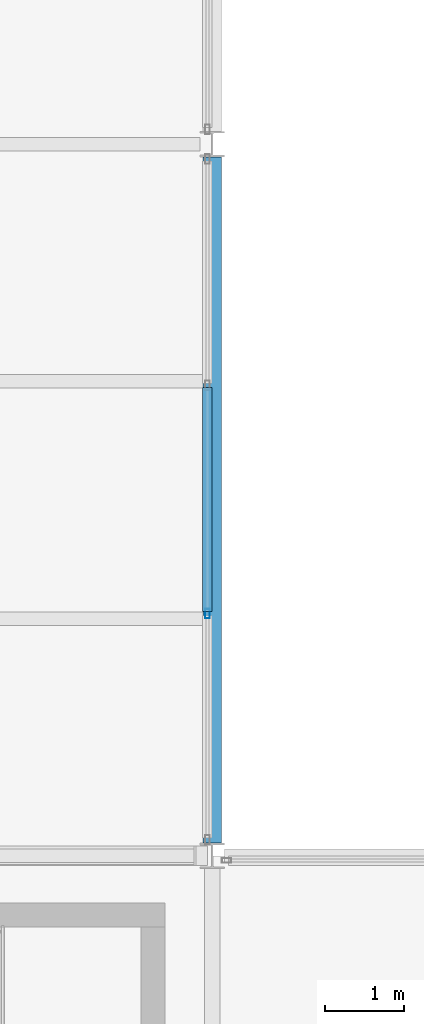
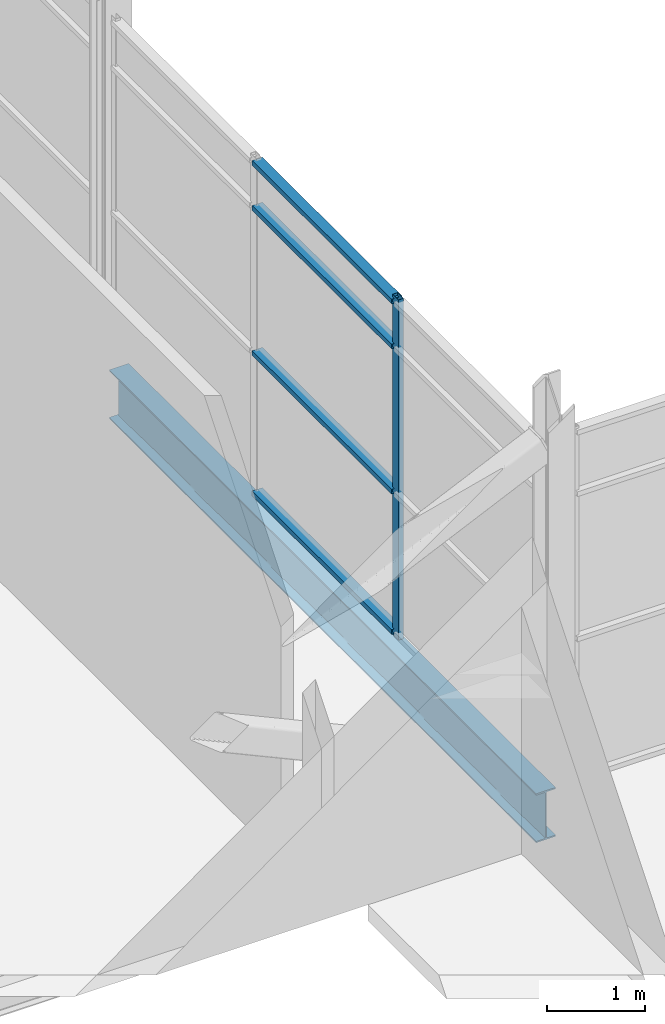
# One storey, part 35 of 112: 5 members, 1 beam, 1 element without a shape of its own.
"""IFC4 building model written with IfcOpenShell, lengths in metres."""

from ifc_helpers import new_model, si_unit, direction, frame, origin, origin_2d, place, context, subcontext, project, spatial, hollow_rectangle, i_section, extrude, material, layer, layer_set, material_profile, profile_set, type_object, element, aggregate, save


model = new_model("IFC4")

# Units and contexts
model_context = context("Model", 3, precision=1e-05, world=origin(), true_north=direction((0.0, 1.0)))
body_context = subcontext(model_context, "Body", "Model", "MODEL_VIEW")
ifc_project = project(units=[si_unit("LENGTHUNIT", "METRE"), si_unit("AREAUNIT", "SQUARE_METRE"), si_unit("VOLUMEUNIT", "CUBIC_METRE"), si_unit("PLANEANGLEUNIT", "RADIAN"), si_unit("MASSUNIT", "GRAM", prefix="KILO")], contexts=[model_context])

# Site, building, storey
site_placement = place(None, origin())
site = spatial("IfcSite", under=ifc_project, at=site_placement, CompositionType="ELEMENT")
building_placement = place(site_placement, origin())
building = spatial("IfcBuilding", under=site, at=building_placement, Name="Shorebreak Coast Museum", CompositionType="ELEMENT")
storey_placement = place(building_placement, frame((0.0, 0.0, 6.0)))
storey = spatial("IfcBuildingStorey", under=building, at=storey_placement, Name="L01", CompositionType="ELEMENT", Elevation=6.0)

# Beam
ifc_material_1 = material(Name="Steel Grade 300", Category="steel")
ifc_material_profile_1 = material_profile(ifc_material_1, i_section(OverallWidth=0.22802734375, OverallDepth=0.60693359375, WebThickness=0.01123046875, FlangeThickness=0.017333984375, FilletRadius=0.013916015625, at=origin_2d()), Name="610UB113")
ifc_profile_set_1 = profile_set([ifc_material_profile_1], Name="Steel Grade 300")
beam_type = type_object("IfcBeamType", Name="Floor girder north-south 610UB113", PredefinedType="BEAM", material=ifc_profile_set_1)
beam_placement = place(storey_placement, frame((63.0, 63.16357421875, -0.478515625), z_axis=(0.0, 1.0, 0.0), x_axis=(-1.0, 0.0, 0.0)))
element("IfcBeam", 1, at=beam_placement, inside=storey, type_object=beam_type, Name="Floor girder north-south L01 8H", PredefinedType="BEAM", context=body_context, shape_type="SweptSolid", body=[
    extrude(i_section(OverallWidth=0.22802734375, OverallDepth=0.60693359375, WebThickness=0.01123046875, FlangeThickness=0.017333984375, FilletRadius=0.013916015625, at=origin_2d()), origin(), (0.0, 0.0, 1.0), 8.6728515625),
])

# Curtain wall, members
ifc_material_2 = material(Name="Aluminium", Category="aluminium")
ifc_layer = layer(ifc_material_2, 0.1201171875)
ifc_layer_set = layer_set([ifc_layer], Name="Aluminium")
curtain_wall_type = type_object("IfcCurtainWallType", Name="Atrium fire screen", PredefinedType="NOTDEFINED", material=ifc_layer_set)
curtain_wall_placement = place(storey_placement, origin())
curtain_wall = element("IfcCurtainWall", 2, at=curtain_wall_placement, inside=storey, type_object=curtain_wall_type, Name="Atrium screen L01 W 12", PredefinedType="NOTDEFINED")
ifc_material_3 = material(Name="Aluminium", Category="aluminium")
ifc_material_profile_2 = material_profile(ifc_material_3, hollow_rectangle(XDim=0.06005859375, YDim=0.1201171875, WallThickness=0.00341796875, at=origin_2d()), Name="AL 120x60 RHS")
ifc_profile_set_2 = profile_set([ifc_material_profile_2], Name="Aluminium")
member_type_1 = type_object("IfcMemberType", Name="Screen mullion 50 x 120", PredefinedType="MULLION", material=ifc_profile_set_2)
member_1_placement = place(storey_placement, frame((62.93994140625, 66.06396484375, 0.0), z_axis=(0.0, 0.0, 1.0), x_axis=(-1.0, 0.0, 0.0)))
member_1 = element("IfcMember", 3, at=member_1_placement, type_object=member_type_1, Name="CW4 mullion 2", PredefinedType="MULLION", context=body_context, shape_type="SweptSolid", body=[
    extrude(hollow_rectangle(XDim=0.06005859375, YDim=0.1201171875, WallThickness=0.00341796875, at=origin_2d()), origin(), (0.0, 0.0, 1.0), 4.218017578125),
])
ifc_material_4 = material(Name="Aluminium", Category="aluminium")
ifc_material_profile_3 = material_profile(ifc_material_4, hollow_rectangle(XDim=0.1201171875, YDim=0.06005859375, WallThickness=0.00341796875, at=origin_2d()), Name="AL 60x120 RHS")
ifc_profile_set_3 = profile_set([ifc_material_profile_3], Name="Aluminium")
member_type_2 = type_object("IfcMemberType", Name="Screen transom 120 x 50", PredefinedType="USERDEFINED", material=ifc_profile_set_3)
member_2_placement = place(storey_placement, frame((62.93994140625, 66.0888671875, 0.06005859375), z_axis=(0.0, 1.0, 0.0), x_axis=(-1.0, 0.0, 0.0)))
member_2 = element("IfcMember", 4, at=member_2_placement, type_object=member_type_2, Name="CW4 transom 2.1", ObjectType="TRANSOM", PredefinedType="USERDEFINED", context=body_context, shape_type="SweptSolid", body=[
    extrude(hollow_rectangle(XDim=0.1201171875, YDim=0.06005859375, WallThickness=0.00341796875, at=origin_2d()), origin(), (0.0, 0.0, 1.0), 2.836181640625),
])
member_3_placement = place(storey_placement, frame((62.93994140625, 66.0888671875, 1.800048828125), z_axis=(0.0, 1.0, 0.0), x_axis=(-1.0, 0.0, 0.0)))
member_3 = element("IfcMember", 5, at=member_3_placement, type_object=member_type_2, Name="CW4 transom 2.2", ObjectType="TRANSOM", PredefinedType="USERDEFINED", context=body_context, shape_type="SweptSolid", body=[
    extrude(hollow_rectangle(XDim=0.1201171875, YDim=0.06005859375, WallThickness=0.00341796875, at=origin_2d()), origin(), (0.0, 0.0, 1.0), 2.836181640625),
])
member_4_placement = place(storey_placement, frame((62.93994140625, 66.0888671875, 3.60009765625), z_axis=(0.0, 1.0, 0.0), x_axis=(-1.0, 0.0, 0.0)))
member_4 = element("IfcMember", 6, at=member_4_placement, type_object=member_type_2, Name="CW4 transom 2.3", ObjectType="TRANSOM", PredefinedType="USERDEFINED", context=body_context, shape_type="SweptSolid", body=[
    extrude(hollow_rectangle(XDim=0.1201171875, YDim=0.06005859375, WallThickness=0.00341796875, at=origin_2d()), origin(), (0.0, 0.0, 1.0), 2.836181640625),
])
member_5_placement = place(storey_placement, frame((62.93994140625, 66.0888671875, 4.157958984375), z_axis=(0.0, 1.0, 0.0), x_axis=(-1.0, 0.0, 0.0)))
member_5 = element("IfcMember", 7, at=member_5_placement, type_object=member_type_2, Name="CW4 transom 2.4", ObjectType="TRANSOM", PredefinedType="USERDEFINED", context=body_context, shape_type="SweptSolid", body=[
    extrude(hollow_rectangle(XDim=0.1201171875, YDim=0.06005859375, WallThickness=0.00341796875, at=origin_2d()), origin(), (0.0, 0.0, 1.0), 2.836181640625),
])
aggregate(curtain_wall, [member_1, member_2, member_3, member_4, member_5])

save(model, "model.ifc")
